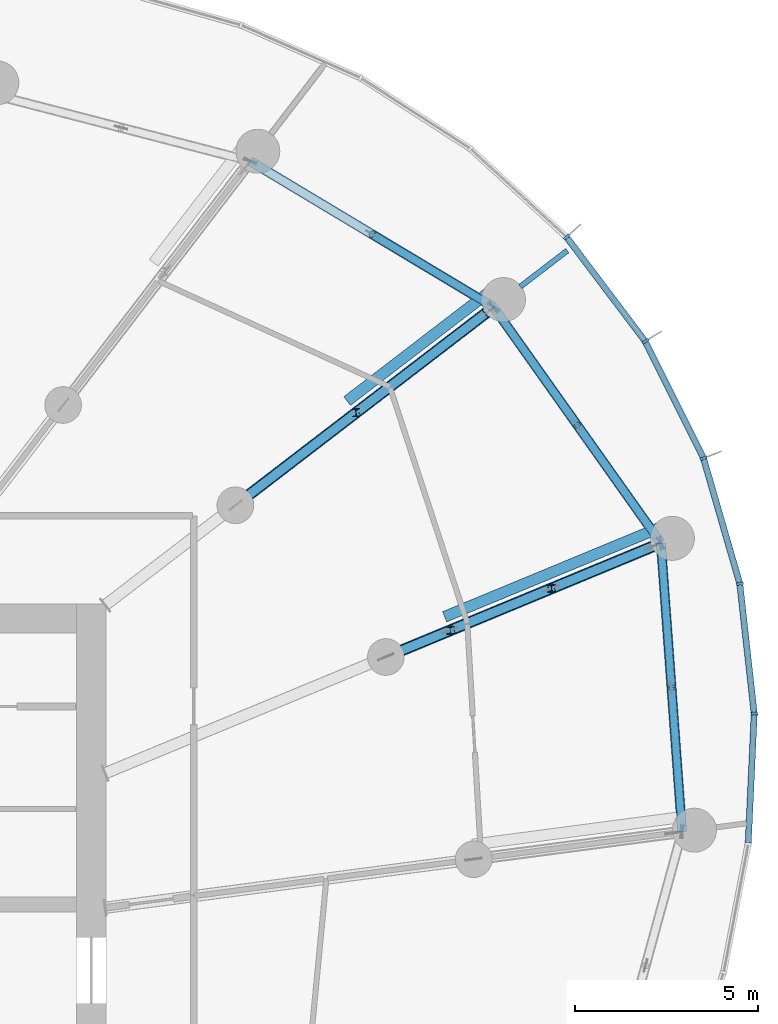
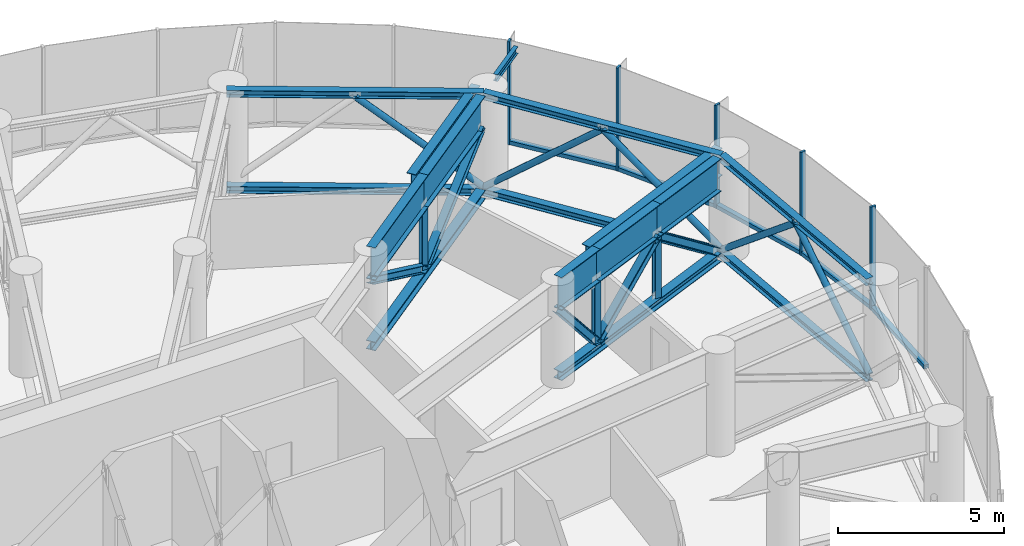
# One storey, part 11 of 33: 31 members, 8 beams, 3 elements without a shape of their own.
"""IFC4 building model written with IfcOpenShell, lengths in metres."""

from ifc_helpers import new_model, si_unit, direction, frame, origin, origin_2d, place, context, subcontext, project, spatial, rectangle, hollow_circle, i_section, extrude, source, transform, mapped, material, layer, layer_set, material_profile, profile_set, type_object, element, aggregate, save


model = new_model("IFC4")

# Units and contexts
model_context = context("Model", 3, precision=1e-05, world=origin(), true_north=direction((0.0, 1.0)))
body_context = subcontext(model_context, "Body", "Model", "MODEL_VIEW")
ifc_project = project(units=[si_unit("LENGTHUNIT", "METRE"), si_unit("AREAUNIT", "SQUARE_METRE"), si_unit("VOLUMEUNIT", "CUBIC_METRE"), si_unit("PLANEANGLEUNIT", "RADIAN"), si_unit("MASSUNIT", "GRAM", prefix="KILO")], contexts=[model_context])

# Site, building, storey
site_placement = place(None, origin())
site = spatial("IfcSite", under=ifc_project, at=site_placement, CompositionType="ELEMENT")
building_placement = place(site_placement, origin())
building = spatial("IfcBuilding", under=site, at=building_placement, Name="Spindrift Exchange Tower", CompositionType="ELEMENT")
storey_placement = place(building_placement, frame((0.0, 0.0, 129.0)))
storey = spatial("IfcBuildingStorey", under=building, at=storey_placement, Name="L30", CompositionType="ELEMENT", Elevation=129.0)

# Beams
ifc_material_1 = material(Name="Steel Grade 300", Category="steel")
ifc_material_profile_1 = material_profile(ifc_material_1, i_section(OverallWidth=0.14599609375, OverallDepth=0.251953125, WebThickness=0.006103515625, FlangeThickness=0.008544921875, FilletRadius=0.011962890625, at=origin_2d()), Name="250UB31.4")
ifc_profile_set_1 = profile_set([ifc_material_profile_1], Name="Steel Grade 300")
beam_type_1 = type_object("IfcBeamType", Name="Cantilever Beam 250UB31.4 Steel Grade 300", PredefinedType="BEAM", material=ifc_profile_set_1)
shared_shape_1 = source(origin(), body_context, "Body", "SweptSolid", [
    extrude(i_section(OverallWidth=0.14599609375, OverallDepth=0.251953125, WebThickness=0.006103515625, FlangeThickness=0.008544921875, FilletRadius=0.011962890625, at=origin_2d()), origin(), (0.0, 0.0, 1.0), 1.6142578125),
])
beam_1_placement = place(storey_placement, frame((76.308349609375, 66.652587890625, 3.654052734375), z_axis=(0.793455404802, 0.608628392856, 0.0), x_axis=(-0.608628392856, 0.793455404802, 0.0)))
element("IfcBeam", 1, at=beam_1_placement, inside=storey, type_object=beam_type_1, Name="L30 cantilever beam R03T", PredefinedType="BEAM", context=body_context, shape_type="MappedRepresentation", body=[
    mapped(shared_shape_1, transform((0.0, 0.0, 0.0), scale=1.0)),
])
ifc_material_profile_2 = material_profile(ifc_material_1, i_section(OverallWidth=0.300048828125, OverallDepth=1.199951171875, WebThickness=0.011962890625, FlangeThickness=0.028076171875, at=origin_2d()), Name="1200WB249")
ifc_profile_set_2 = profile_set([ifc_material_profile_2], Name="Steel Grade 300")
beam_type_2 = type_object("IfcBeamType", Name="Outrigger Truss Transfer Girder 1200WB249 Steel Grade 300", PredefinedType="BEAM", material=ifc_profile_set_2)
shared_shape_2 = source(origin(), body_context, "Body", "SweptSolid", [
    extrude(i_section(OverallWidth=0.300048828125, OverallDepth=1.199951171875, WebThickness=0.011962890625, FlangeThickness=0.028076171875, at=origin_2d()), origin(), (0.0, 0.0, 1.0), 1.902099609375),
])
beam_2_placement = place(storey_placement, frame((72.639404296875, 56.549072265625, 3.179931640625), z_axis=(0.923857260283, 0.382737197856, 0.0), x_axis=(-0.382737197856, 0.923857260283, 0.0)))
element("IfcBeam", 2, at=beam_2_placement, inside=storey, type_object=beam_type_2, Name="L30 outrigger truss 02 top chord 2", PredefinedType="BEAM", context=body_context, shape_type="MappedRepresentation", body=[
    mapped(shared_shape_2, transform((0.0, 0.0, 0.0), scale=1.0)),
])

# Members
ifc_material_profile_3 = material_profile(ifc_material_1, i_section(OverallWidth=0.30908203125, OverallDepth=0.321044921875, WebThickness=0.013916015625, FlangeThickness=0.021728515625, FilletRadius=0.0166015625, at=origin_2d()), Name="310UC137")
ifc_profile_set_3 = profile_set([ifc_material_profile_3], Name="Steel Grade 300")
member_type_1 = type_object("IfcMemberType", Name="Outrigger Truss Chord 310UC137 Steel Grade 300", PredefinedType="CHORD", material=ifc_profile_set_3)
shared_shape_3 = source(origin(), body_context, "Body", "SweptSolid", [
    extrude(i_section(OverallWidth=0.30908203125, OverallDepth=0.321044921875, WebThickness=0.013916015625, FlangeThickness=0.021728515625, FilletRadius=0.0166015625, at=origin_2d()), origin(), (0.0, 0.0, 1.0), 7.880126953125),
])
member_1_placement = place(storey_placement, frame((72.639404296875, 56.549072265625, 0.160400390625), z_axis=(0.923877872246, 0.382687440576, 0.0), x_axis=(-0.382687440576, 0.923877872246, 0.0)))
element("IfcMember", 3, at=member_1_placement, inside=storey, type_object=member_type_1, Name="L30 outrigger truss 02 bottom chord 2", PredefinedType="CHORD", context=body_context, shape_type="MappedRepresentation", body=[
    mapped(shared_shape_3, transform((0.0, 0.0, 0.0), scale=1.0)),
])
ifc_material_profile_4 = material_profile(ifc_material_1, i_section(OverallWidth=0.25390625, OverallDepth=0.25390625, WebThickness=0.008544921875, FlangeThickness=0.01416015625, FilletRadius=0.011962890625, at=origin_2d()), Name="250UC72.9")
ifc_profile_set_4 = profile_set([ifc_material_profile_4], Name="Steel Grade 300")
member_type_2 = type_object("IfcMemberType", Name="Outrigger Truss Diagonal 250UC72.9 Steel Grade 300", PredefinedType="BRACE", material=ifc_profile_set_4)
shared_shape_4 = source(origin(), body_context, "Body", "SweptSolid", [
    extrude(i_section(OverallWidth=0.25390625, OverallDepth=0.25390625, WebThickness=0.008544921875, FlangeThickness=0.01416015625, FilletRadius=0.011962890625, at=origin_2d()), origin(), (0.0, 0.0, 1.0), 2.953125),
])
member_2_placement = place(storey_placement, frame((72.639404296875, 56.549072265625, 2.580078125), z_axis=(0.59505583081, 0.246520767918, -0.764941873088), x_axis=(-0.382737197856, 0.923857260283, 0.0)))
element("IfcMember", 4, at=member_2_placement, inside=storey, type_object=member_type_2, Name="L30 outrigger truss 02 diagonal 2", PredefinedType="BRACE", context=body_context, shape_type="MappedRepresentation", body=[
    mapped(shared_shape_4, transform((0.0, 0.0, 0.0), scale=1.0)),
])

# Beams
shared_shape_5 = source(origin(), body_context, "Body", "SweptSolid", [
    extrude(i_section(OverallWidth=0.300048828125, OverallDepth=1.199951171875, WebThickness=0.011962890625, FlangeThickness=0.028076171875, at=origin_2d()), origin(), (0.0, 0.0, 1.0), 2.989013671875),
])
for number, where, z_axis, x_axis, name in (
    (5, (74.396728515625, 57.277099609375, 3.179931640625), (0.923884430311, 0.382671607816, 0.0), (-0.382671607816, 0.923884430311, 0.0), "L30 outrigger truss 02 top chord 3"),
    (6, (77.158203125, 58.4208984375, 3.179931640625), (0.923884430311, 0.382671607816, 0.0), (-0.382671607816, 0.923884430311, 0.0), "L30 outrigger truss 02 top chord 4"),
):
    element("IfcBeam", number, at=place(storey_placement, frame(where, z_axis=z_axis, x_axis=x_axis)), inside=storey, type_object=beam_type_2, Name=name, PredefinedType="BEAM", context=body_context, shape_type="MappedRepresentation", body=[
        mapped(shared_shape_5, transform((0.0, 0.0, 0.0), scale=1.0)),
    ])

# Members
shared_shape_6 = source(origin(), body_context, "Body", "SweptSolid", [
    extrude(i_section(OverallWidth=0.25390625, OverallDepth=0.25390625, WebThickness=0.008544921875, FlangeThickness=0.01416015625, FilletRadius=0.011962890625, at=origin_2d()), origin(), (0.0, 0.0, 1.0), 3.74658203125),
])
for number, where, z_axis, x_axis, name in (
    (7, (74.396728515625, 57.277099609375, 0.321044921875), (0.737055270043, 0.305287237216, 0.602950438839), (-0.382671607816, 0.923884430311, 0.0), "L30 outrigger truss 02 diagonal 3"),
    (8, (77.158203125, 58.4208984375, 2.580078125), (0.737055270043, 0.305287237216, -0.602950438839), (-0.382671607816, 0.923884430311, 0.0), "L30 outrigger truss 02 diagonal 4"),
):
    element("IfcMember", number, at=place(storey_placement, frame(where, z_axis=z_axis, x_axis=x_axis)), inside=storey, type_object=member_type_2, Name=name, PredefinedType="BRACE", context=body_context, shape_type="MappedRepresentation", body=[
        mapped(shared_shape_6, transform((0.0, 0.0, 0.0), scale=1.0)),
    ])
ifc_material_profile_5 = material_profile(ifc_material_1, i_section(OverallWidth=0.202880859375, OverallDepth=0.202880859375, WebThickness=0.00732421875, FlangeThickness=0.010986328125, FilletRadius=0.012939453125, at=origin_2d()), Name="200UC46.2")
ifc_profile_set_5 = profile_set([ifc_material_profile_5], Name="Steel Grade 300")
member_type_3 = type_object("IfcMemberType", Name="Outrigger Truss Post 200UC46.2 Steel Grade 300", PredefinedType="POST", material=ifc_profile_set_5)
shared_shape_7 = source(origin(), body_context, "Body", "SweptSolid", [
    extrude(i_section(OverallWidth=0.202880859375, OverallDepth=0.202880859375, WebThickness=0.00732421875, FlangeThickness=0.010986328125, FilletRadius=0.012939453125, at=origin_2d()), origin(), (0.0, 0.0, 1.0), 2.259033203125),
])
for number, where, z_axis, x_axis, name in (
    (9, (74.396728515625, 57.277099609375, 0.321044921875), (0.0, 0.0, 1.0), (1.0, 0.0, 0.0), "L30 outrigger truss 02 post 2"),
    (10, (77.158203125, 58.4208984375, 0.321044921875), (0.0, 0.0, 1.0), (1.0, 0.0, 0.0), "L30 outrigger truss 02 post 3"),
    (11, (71.825927734375, 63.212890625, 0.321044921875), (0.0, 0.0, 1.0), (1.0, 0.0, 0.0), "L30 outrigger truss 03 post 2"),
):
    element("IfcMember", number, at=place(storey_placement, frame(where, z_axis=z_axis, x_axis=x_axis)), inside=storey, type_object=member_type_3, Name=name, PredefinedType="POST", context=body_context, shape_type="MappedRepresentation", body=[
        mapped(shared_shape_7, transform((0.0, 0.0, 0.0), scale=1.0)),
    ])

# Beam
shared_shape_8 = source(origin(), body_context, "Body", "SweptSolid", [
    extrude(i_section(OverallWidth=0.300048828125, OverallDepth=1.199951171875, WebThickness=0.011962890625, FlangeThickness=0.028076171875, at=origin_2d()), origin(), (0.0, 0.0, 1.0), 4.148193359375),
])
beam_3_placement = place(storey_placement, frame((68.534912109375, 60.6875, 3.179931640625), z_axis=(0.793341055258, 0.608777438842, 0.0), x_axis=(-0.608777438842, 0.793341055258, 0.0)))
element("IfcBeam", 12, at=beam_3_placement, inside=storey, type_object=beam_type_2, Name="L30 outrigger truss 03 top chord 2", PredefinedType="BEAM", context=body_context, shape_type="MappedRepresentation", body=[
    mapped(shared_shape_8, transform((0.0, 0.0, 0.0), scale=1.0)),
])

# Members
shared_shape_9 = source(origin(), body_context, "Body", "SweptSolid", [
    extrude(i_section(OverallWidth=0.30908203125, OverallDepth=0.321044921875, WebThickness=0.013916015625, FlangeThickness=0.021728515625, FilletRadius=0.0166015625, at=origin_2d()), origin(), (0.0, 0.0, 1.0), 8.638427734375),
])
member_3_placement = place(storey_placement, frame((68.534912109375, 60.6875, 0.160400390625), z_axis=(0.793348370167, 0.608767906145, 0.0), x_axis=(-0.608767906145, 0.793348370167, 0.0)))
element("IfcMember", 13, at=member_3_placement, inside=storey, type_object=member_type_1, Name="L30 outrigger truss 03 bottom chord 2", PredefinedType="CHORD", context=body_context, shape_type="MappedRepresentation", body=[
    mapped(shared_shape_9, transform((0.0, 0.0, 0.0), scale=1.0)),
])
shared_shape_10 = source(origin(), body_context, "Body", "SweptSolid", [
    extrude(i_section(OverallWidth=0.25390625, OverallDepth=0.25390625, WebThickness=0.008544921875, FlangeThickness=0.01416015625, FilletRadius=0.011962890625, at=origin_2d()), origin(), (0.0, 0.0, 1.0), 4.7236328125),
])
member_4_placement = place(storey_placement, frame((68.534912109375, 60.6875, 2.580078125), z_axis=(0.696729923602, 0.534642012592, -0.478252372633), x_axis=(-0.608777438842, 0.793341055258, 0.0)))
element("IfcMember", 14, at=member_4_placement, inside=storey, type_object=member_type_2, Name="L30 outrigger truss 03 diagonal 2", PredefinedType="BRACE", context=body_context, shape_type="MappedRepresentation", body=[
    mapped(shared_shape_10, transform((0.0, 0.0, 0.0), scale=1.0)),
])

# Beam
shared_shape_11 = source(origin(), body_context, "Body", "SweptSolid", [
    extrude(i_section(OverallWidth=0.300048828125, OverallDepth=1.199951171875, WebThickness=0.011962890625, FlangeThickness=0.028076171875, at=origin_2d()), origin(), (0.0, 0.0, 1.0), 4.490234375),
])
beam_4_placement = place(storey_placement, frame((71.825927734375, 63.212890625, 3.179931640625), z_axis=(0.793355128117, 0.608759099061, 0.0), x_axis=(-0.608759099061, 0.793355128117, 0.0)))
element("IfcBeam", 15, at=beam_4_placement, inside=storey, type_object=beam_type_2, Name="L30 outrigger truss 03 top chord 3", PredefinedType="BEAM", context=body_context, shape_type="MappedRepresentation", body=[
    mapped(shared_shape_11, transform((0.0, 0.0, 0.0), scale=1.0)),
])

# Members
shared_shape_12 = source(origin(), body_context, "Body", "SweptSolid", [
    extrude(i_section(OverallWidth=0.25390625, OverallDepth=0.25390625, WebThickness=0.008544921875, FlangeThickness=0.01416015625, FilletRadius=0.011962890625, at=origin_2d()), origin(), (0.0, 0.0, 1.0), 5.0263671875),
])
member_5_placement = place(storey_placement, frame((71.825927734375, 63.212890625, 0.321044921875), z_axis=(0.708713845641, 0.543811953656, 0.449436585136), x_axis=(-0.608759099061, 0.793355128117, 0.0)))
element("IfcMember", 16, at=member_5_placement, inside=storey, type_object=member_type_2, Name="L30 outrigger truss 03 diagonal 3", PredefinedType="BRACE", context=body_context, shape_type="MappedRepresentation", body=[
    mapped(shared_shape_12, transform((0.0, 0.0, 0.0), scale=1.0)),
])
ifc_material_profile_6 = material_profile(ifc_material_1, i_section(OverallWidth=0.25390625, OverallDepth=0.25390625, WebThickness=0.008544921875, FlangeThickness=0.01416015625, FilletRadius=0.011962890625, at=origin_2d()), Name="250UC72.9")
ifc_profile_set_6 = profile_set([ifc_material_profile_6], Name="Steel Grade 300")
member_type_4 = type_object("IfcMemberType", Name="Belt Truss Chord 250UC72.9 Steel Grade 300", PredefinedType="CHORD", material=ifc_profile_set_6)
shared_shape_13 = source(origin(), body_context, "Body", "SweptSolid", [
    extrude(i_section(OverallWidth=0.25390625, OverallDepth=0.25390625, WebThickness=0.008544921875, FlangeThickness=0.01416015625, FilletRadius=0.011962890625, at=origin_2d()), origin(), (0.0, 0.0, 1.0), 7.896728515625),
])
for number, where, z_axis, x_axis, name in (
    (17, (80.71923828125, 51.781005859375, 3.653076171875), (-0.07318040206, 0.997318719745, 0.0), (-0.997318719745, -0.07318040206, 0.0), "L30 belt truss 01 top chord"),
    (18, (80.71923828125, 51.781005859375, 0.126953125), (-0.07318040206, 0.997318719745, 0.0), (-0.997318719745, -0.07318040206, 0.0), "L30 belt truss 01 bottom chord"),
):
    element("IfcMember", number, at=place(storey_placement, frame(where, z_axis=z_axis, x_axis=x_axis)), inside=storey, type_object=member_type_4, Name=name, PredefinedType="CHORD", context=body_context, shape_type="MappedRepresentation", body=[
        mapped(shared_shape_13, transform((0.0, 0.0, 0.0), scale=1.0)),
    ])
ifc_material_2 = material(Name="Steel Grade 350", Category="steel")
ifc_material_profile_7 = material_profile(ifc_material_2, hollow_circle(Radius=0.109619140625, WallThickness=0.006103515625, at=origin_2d()), Name="219.1x6.0CHS")
ifc_profile_set_7 = profile_set([ifc_material_profile_7], Name="Steel Grade 350")
member_type_5 = type_object("IfcMemberType", Name="Belt Truss Diagonal 219.1x6.0CHS Steel Grade 350", PredefinedType="BRACE", material=ifc_profile_set_7)
shared_shape_14 = source(origin(), body_context, "Body", "SweptSolid", [
    extrude(hollow_circle(Radius=0.109619140625, WallThickness=0.006103515625, at=origin_2d()), origin(), (0.0, 0.0, 1.0), 5.1279296875),
])
for number, where, z_axis, x_axis, name in (
    (19, (80.71923828125, 51.781005859375, 0.25390625), (-0.056323261566, 0.767910300755, 0.638076374897), (-0.997320975724, -0.073149650585, 0.0), "L30 belt truss 01 diagonal 1"),
    (20, (80.430419921875, 55.71875, 3.52587890625), (-0.056370720873, 0.767908240679, -0.638074663127), (-0.997316462828, -0.073211153326, 0.0), "L30 belt truss 01 diagonal 2"),
):
    element("IfcMember", number, at=place(storey_placement, frame(where, z_axis=z_axis, x_axis=x_axis)), inside=storey, type_object=member_type_5, Name=name, PredefinedType="BRACE", context=body_context, shape_type="MappedRepresentation", body=[
        mapped(shared_shape_14, transform((0.0, 0.0, 0.0), scale=1.0)),
    ])
shared_shape_15 = source(origin(), body_context, "Body", "SweptSolid", [
    extrude(i_section(OverallWidth=0.25390625, OverallDepth=0.25390625, WebThickness=0.008544921875, FlangeThickness=0.01416015625, FilletRadius=0.011962890625, at=origin_2d()), origin(), (0.0, 0.0, 1.0), 7.88916015625),
])
for number, where, z_axis, x_axis, name in (
    (21, (80.141357421875, 59.656494140625, 3.653076171875), (-0.578359884136, 0.815781738226, 0.0), (-0.815781738226, -0.578359884136, 0.0), "L30 belt truss 02 top chord"),
    (22, (80.141357421875, 59.656494140625, 0.126953125), (-0.578359884136, 0.815781738226, 0.0), (-0.815781738226, -0.578359884136, 0.0), "L30 belt truss 02 bottom chord"),
):
    element("IfcMember", number, at=place(storey_placement, frame(where, z_axis=z_axis, x_axis=x_axis)), inside=storey, type_object=member_type_4, Name=name, PredefinedType="CHORD", context=body_context, shape_type="MappedRepresentation", body=[
        mapped(shared_shape_15, transform((0.0, 0.0, 0.0), scale=1.0)),
    ])
shared_shape_16 = source(origin(), body_context, "Body", "SweptSolid", [
    extrude(hollow_circle(Radius=0.109619140625, WallThickness=0.006103515625, at=origin_2d()), origin(), (0.0, 0.0, 1.0), 5.125),
])
member_6_placement = place(storey_placement, frame((80.141357421875, 59.656494140625, 0.25390625), z_axis=(-0.445160837099, 0.627893525286, 0.638421138448), x_axis=(-0.815777488954, -0.578365877724, 0.0)))
element("IfcMember", 23, at=member_6_placement, inside=storey, type_object=member_type_5, Name="L30 belt truss 02 diagonal 1", PredefinedType="BRACE", context=body_context, shape_type="MappedRepresentation", body=[
    mapped(shared_shape_16, transform((0.0, 0.0, 0.0), scale=1.0)),
])
shared_shape_17 = source(origin(), body_context, "Body", "SweptSolid", [
    extrude(hollow_circle(Radius=0.109619140625, WallThickness=0.006103515625, at=origin_2d()), origin(), (0.0, 0.0, 1.0), 5.124755859375),
])
member_7_placement = place(storey_placement, frame((77.85986328125, 62.87451171875, 3.52587890625), z_axis=(-0.445135954112, 0.627877983219, -0.638453773225), x_axis=(-0.81578598782, -0.578353889999, 0.0)))
element("IfcMember", 24, at=member_7_placement, inside=storey, type_object=member_type_5, Name="L30 belt truss 02 diagonal 2", PredefinedType="BRACE", context=body_context, shape_type="MappedRepresentation", body=[
    mapped(shared_shape_17, transform((0.0, 0.0, 0.0), scale=1.0)),
])
shared_shape_18 = source(origin(), body_context, "Body", "SweptSolid", [
    extrude(i_section(OverallWidth=0.25390625, OverallDepth=0.25390625, WebThickness=0.008544921875, FlangeThickness=0.01416015625, FilletRadius=0.011962890625, at=origin_2d()), origin(), (0.0, 0.0, 1.0), 7.742919921875),
])
for number, where, z_axis, x_axis, name in (
    (25, (75.57861328125, 66.09228515625, 3.653076171875), (-0.857551345458, 0.514398376652, 0.0), (-0.514398376652, -0.857551345458, 0.0), "L30 belt truss 03 top chord"),
    (26, (75.57861328125, 66.09228515625, 0.126953125), (-0.857551345458, 0.514398376652, 0.0), (-0.514398376652, -0.857551345458, 0.0), "L30 belt truss 03 bottom chord"),
):
    element("IfcMember", number, at=place(storey_placement, frame(where, z_axis=z_axis, x_axis=x_axis)), inside=storey, type_object=member_type_4, Name=name, PredefinedType="CHORD", context=body_context, shape_type="MappedRepresentation", body=[
        mapped(shared_shape_18, transform((0.0, 0.0, 0.0), scale=1.0)),
    ])
shared_shape_19 = source(origin(), body_context, "Body", "SweptSolid", [
    extrude(hollow_circle(Radius=0.109619140625, WallThickness=0.006103515625, at=origin_2d()), origin(), (0.0, 0.0, 1.0), 5.069091796875),
])
member_8_placement = place(storey_placement, frame((75.57861328125, 66.09228515625, 0.25390625), z_axis=(-0.654977676576, 0.39287101315, 0.645489434626), x_axis=(-0.514384467866, -0.857559688429, 0.0)))
element("IfcMember", 27, at=member_8_placement, inside=storey, type_object=member_type_5, Name="L30 belt truss 03 diagonal 1", PredefinedType="BRACE", context=body_context, shape_type="MappedRepresentation", body=[
    mapped(shared_shape_19, transform((0.0, 0.0, 0.0), scale=1.0)),
])

# Beams
ifc_material_profile_8 = material_profile(ifc_material_1, i_section(OverallWidth=0.300048828125, OverallDepth=1.0, WebThickness=0.010009765625, FlangeThickness=0.02001953125, at=origin_2d()), Name="1000WB215")
ifc_profile_set_8 = profile_set([ifc_material_profile_8], Name="Steel Grade 300")
beam_type_3 = type_object("IfcBeamType", Name="Transfer Tie Beam 1000WB215 Steel Grade 300", PredefinedType="BEAM", material=ifc_profile_set_8)
shared_shape_20 = source(origin(), body_context, "Body", "SweptSolid", [
    extrude(i_section(OverallWidth=0.300048828125, OverallDepth=1.0, WebThickness=0.010009765625, FlangeThickness=0.02001953125, at=origin_2d()), origin(), (0.0, 0.0, 1.0), 6.55810546875),
])
beam_5_placement = place(storey_placement, frame((80.302490234375, 60.15625, 3.179931640625), z_axis=(-0.923873451305, -0.382698113366, 0.0), x_axis=(0.382698113366, -0.923873451305, 0.0)))
element("IfcBeam", 28, at=beam_5_placement, inside=storey, type_object=beam_type_3, Name="L30 transfer tie beam K02", PredefinedType="BEAM", context=body_context, shape_type="MappedRepresentation", body=[
    mapped(shared_shape_20, transform((0.0, 0.0, 0.0), scale=1.0)),
])
shared_shape_21 = source(origin(), body_context, "Body", "SweptSolid", [
    extrude(i_section(OverallWidth=0.300048828125, OverallDepth=1.0, WebThickness=0.010009765625, FlangeThickness=0.02001953125, at=origin_2d()), origin(), (0.0, 0.0, 1.0), 5.06982421875),
])
beam_6_placement = place(storey_placement, frame((75.604736328125, 66.61669921875, 3.179931640625), z_axis=(-0.793346645216, -0.608770154101, 0.0), x_axis=(0.608770154101, -0.793346645216, 0.0)))
element("IfcBeam", 29, at=beam_6_placement, inside=storey, type_object=beam_type_3, Name="L30 transfer tie beam K03", PredefinedType="BEAM", context=body_context, shape_type="MappedRepresentation", body=[
    mapped(shared_shape_21, transform((0.0, 0.0, 0.0), scale=1.0)),
])

# Curtain wall, members
ifc_material_3 = material(Name="Fritted laminated glass with bronze frame", Category="glass")
ifc_layer = layer(ifc_material_3, 0.18994140625)
ifc_layer_set = layer_set([ifc_layer], Name="ZONE 2 BRONZE FRITTED WALL")
curtain_wall_type = type_object("IfcCurtainWallType", Name="ZONE 2 BRONZE FRITTED WALL", PredefinedType="NOTDEFINED", material=ifc_layer_set)
curtain_wall_1_placement = place(storey_placement, origin())
curtain_wall_1 = element("IfcCurtainWall", 30, at=curtain_wall_1_placement, inside=storey, type_object=curtain_wall_type, Name="L30 Zone 2 Bronze Fritted Wall run 9", PredefinedType="NOTDEFINED")
ifc_material_4 = material(Name="Bronze anodised aluminium", Category="aluminium")
ifc_material_profile_9 = material_profile(ifc_material_4, rectangle(XDim=0.169921875, YDim=0.139892578125, at=origin_2d()), Name="ZONE 2 BRONZE FRITTED WALL TRANSOM 170X140")
ifc_profile_set_9 = profile_set([ifc_material_profile_9], Name="Bronze anodised aluminium")
member_type_6 = type_object("IfcMemberType", Name="ZONE 2 BRONZE FRITTED WALL TRANSOM 170X140", PredefinedType="USERDEFINED", material=ifc_profile_set_9)
shared_shape_22 = source(origin(), body_context, "Body", "SweptSolid", [
    extrude(rectangle(XDim=0.169921875, YDim=0.139892578125, at=origin_2d()), origin(), (0.0, 0.0, 1.0), 3.48828125),
])
member_9_placement = place(storey_placement, frame((82.283203125, 58.5849609375, 0.070068359375), z_axis=(-0.277862633809, 0.960620818394, 0.0), x_axis=(-0.960620818394, -0.277862633809, 0.0)))
member_9 = element("IfcMember", 31, at=member_9_placement, type_object=member_type_6, Name="L30 transom CW-2.50", ObjectType="TRANSOM", PredefinedType="USERDEFINED", context=body_context, shape_type="MappedRepresentation", body=[
    mapped(shared_shape_22, transform((0.0, 0.0, 0.0), scale=1.0)),
])
shared_shape_23 = source(origin(), body_context, "Body", "SweptSolid", [
    extrude(rectangle(XDim=0.169921875, YDim=0.139892578125, at=origin_2d()), origin(), (0.0, 0.0, 1.0), 3.487548828125),
])
member_10_placement = place(storey_placement, frame((81.286865234375, 62.00537109375, 0.070068359375), z_axis=(-0.445981140458, 0.895042357856, 0.0), x_axis=(-0.895042357856, -0.445981140458, 0.0)))
member_10 = element("IfcMember", 32, at=member_10_placement, type_object=member_type_6, Name="L30 transom CW-2.51", ObjectType="TRANSOM", PredefinedType="USERDEFINED", context=body_context, shape_type="MappedRepresentation", body=[
    mapped(shared_shape_23, transform((0.0, 0.0, 0.0), scale=1.0)),
])

# Curtain wall, member
curtain_wall_2_placement = place(storey_placement, origin())
curtain_wall_2 = element("IfcCurtainWall", 33, at=curtain_wall_2_placement, inside=storey, type_object=curtain_wall_type, Name="L30 Zone 2 Bronze Fritted Wall run 1", PredefinedType="NOTDEFINED")
shared_shape_24 = source(origin(), body_context, "Body", "SweptSolid", [
    extrude(rectangle(XDim=0.169921875, YDim=0.139892578125, at=origin_2d()), origin(), (0.0, 0.0, 1.0), 3.48779296875),
])
member_11_placement = place(storey_placement, frame((79.692138671875, 65.1904296875, 0.070068359375), z_axis=(-0.602405223031, 0.79819042043, 0.0), x_axis=(-0.79819042043, -0.602405223031, 0.0)))
member_11 = element("IfcMember", 34, at=member_11_placement, type_object=member_type_6, Name="L30 transom CW-2.1", ObjectType="TRANSOM", PredefinedType="USERDEFINED", context=body_context, shape_type="MappedRepresentation", body=[
    mapped(shared_shape_24, transform((0.0, 0.0, 0.0), scale=1.0)),
])

curtain_wall_3_placement = place(storey_placement, origin())
curtain_wall_3 = element("IfcCurtainWall", 35, at=curtain_wall_3_placement, inside=storey, type_object=curtain_wall_type, Name="L30 Zone 2 Bronze Fritted Wall run 8", PredefinedType="NOTDEFINED")
shared_shape_25 = source(origin(), body_context, "Body", "SweptSolid", [
    extrude(rectangle(XDim=0.169921875, YDim=0.139892578125, at=origin_2d()), origin(), (0.0, 0.0, 1.0), 3.489501953125),
])
member_12_placement = place(storey_placement, frame((82.524169921875, 51.48388671875, 0.070068359375), z_axis=(0.046385093724, 0.998923632256, 0.0), x_axis=(-0.998923632256, 0.046385093724, 0.0)))
member_12 = element("IfcMember", 36, at=member_12_placement, type_object=member_type_6, Name="L30 transom CW-2.48", ObjectType="TRANSOM", PredefinedType="USERDEFINED", context=body_context, shape_type="MappedRepresentation", body=[
    mapped(shared_shape_25, transform((0.0, 0.0, 0.0), scale=1.0)),
])
aggregate(curtain_wall_3, [member_12])

# Member
shared_shape_26 = source(origin(), body_context, "Body", "SweptSolid", [
    extrude(rectangle(XDim=0.169921875, YDim=0.139892578125, at=origin_2d()), origin(), (0.0, 0.0, 1.0), 3.48876953125),
])
member_13_placement = place(storey_placement, frame((82.68359375, 55.04443359375, 0.070068359375), z_axis=(-0.110569779903, 0.993868363402, 0.0), x_axis=(-0.993868363402, -0.110569779903, 0.0)))
member_13 = element("IfcMember", 37, at=member_13_placement, type_object=member_type_6, Name="L30 transom CW-2.49", ObjectType="TRANSOM", PredefinedType="USERDEFINED", context=body_context, shape_type="MappedRepresentation", body=[
    mapped(shared_shape_26, transform((0.0, 0.0, 0.0), scale=1.0)),
])

ifc_material_profile_10 = material_profile(ifc_material_4, rectangle(XDim=0.074951171875, YDim=0.18994140625, at=origin_2d()), Name="ZONE 2 BRONZE FRITTED WALL MULLION 75X190")
ifc_profile_set_10 = profile_set([ifc_material_profile_10], Name="Bronze anodised aluminium")
member_type_7 = type_object("IfcMemberType", Name="ZONE 2 BRONZE FRITTED WALL MULLION 75X190", PredefinedType="MULLION", material=ifc_profile_set_10)
shared_shape_27 = source(origin(), body_context, "Body", "SweptSolid", [
    extrude(rectangle(XDim=0.074951171875, YDim=0.18994140625, at=origin_2d()), origin(), (0.0, 0.0, 1.0), 3.780029296875),
])
member_14_placement = place(storey_placement, frame((79.71484375, 65.16064453125, 0.0), z_axis=(0.0, 0.0, 1.0), x_axis=(-0.526426542126, 0.850220615926, 0.0)))
member_14 = element("IfcMember", 38, at=member_14_placement, type_object=member_type_7, Name="L30 mullion CW-2.1", PredefinedType="MULLION", context=body_context, shape_type="MappedRepresentation", body=[
    mapped(shared_shape_27, transform((0.0, 0.0, 0.0), scale=1.0)),
])

member_15_placement = place(storey_placement, frame((77.568603515625, 68.004150390625, 0.0), z_axis=(0.0, 0.0, 1.0), x_axis=(-0.671995043767, 0.740555643522, 0.0)))
member_15 = element("IfcMember", 39, at=member_15_placement, type_object=member_type_7, Name="L30 mullion CW-2.2", PredefinedType="MULLION", context=body_context, shape_type="MappedRepresentation", body=[
    mapped(shared_shape_27, transform((0.0, 0.0, 0.0), scale=1.0)),
])

aggregate(curtain_wall_2, [member_14, member_11, member_15])

member_16_placement = place(storey_placement, frame((82.687744140625, 55.007080078125, 0.0), z_axis=(0.0, 0.0, 1.0), x_axis=(-0.032206335114, 0.999481241434, 0.0)))
member_16 = element("IfcMember", 40, at=member_16_placement, type_object=member_type_7, Name="L30 mullion CW-2.49", PredefinedType="MULLION", context=body_context, shape_type="MappedRepresentation", body=[
    mapped(shared_shape_27, transform((0.0, 0.0, 0.0), scale=1.0)),
])

member_17_placement = place(storey_placement, frame((82.293701171875, 58.548828125, 0.0), z_axis=(0.0, 0.0, 1.0), x_axis=(-0.194941485459, 0.980814874095, 0.0)))
member_17 = element("IfcMember", 41, at=member_17_placement, type_object=member_type_7, Name="L30 mullion CW-2.50", PredefinedType="MULLION", context=body_context, shape_type="MappedRepresentation", body=[
    mapped(shared_shape_27, transform((0.0, 0.0, 0.0), scale=1.0)),
])

member_18_placement = place(storey_placement, frame((81.3037109375, 61.9716796875, 0.0), z_axis=(0.0, 0.0, 1.0), x_axis=(-0.363390629243, 0.931636866262, 0.0)))
member_18 = element("IfcMember", 42, at=member_18_placement, type_object=member_type_7, Name="L30 mullion CW-2.51", PredefinedType="MULLION", context=body_context, shape_type="MappedRepresentation", body=[
    mapped(shared_shape_27, transform((0.0, 0.0, 0.0), scale=1.0)),
])

aggregate(curtain_wall_1, [member_16, member_13, member_17, member_9, member_18, member_10])

save(model, "model.ifc")
